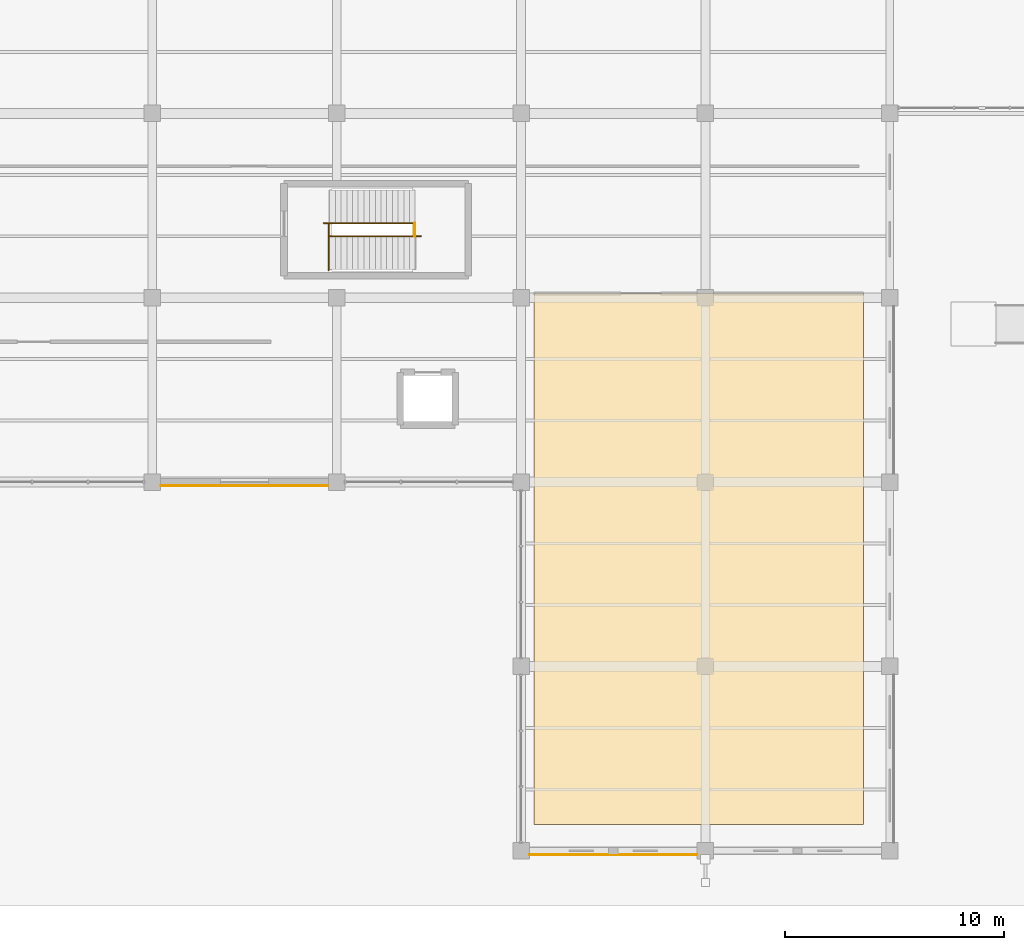
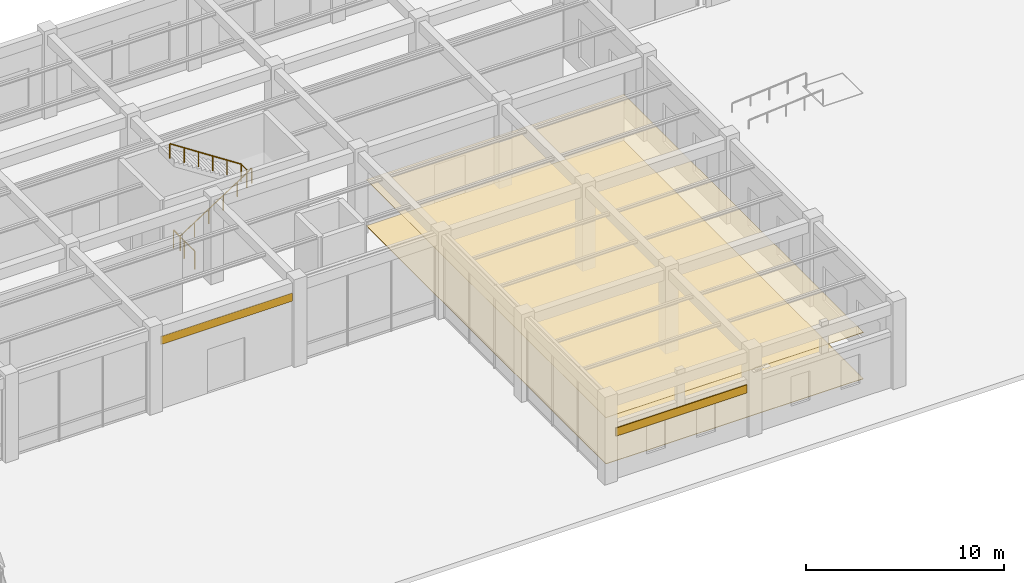
# One storey, part 144 of 157: 4 coverings, 4 railings.
"""IFC4 building model written with IfcOpenShell, lengths in metres."""

from ifc_helpers import new_model, si_unit, direction, frame, origin, origin_2d, place, context, subcontext, project, spatial, polyline, circle, outline, extrude, material, layer, layer_set, type_object, element, save


model = new_model("IFC4")

# Units and contexts
model_context = context("Model", 3, precision=1e-05, world=origin(), true_north=direction((0.0, 1.0)))
body_context = subcontext(model_context, "Body", "Model", "MODEL_VIEW")
ifc_project = project(units=[si_unit("LENGTHUNIT", "METRE"), si_unit("AREAUNIT", "SQUARE_METRE"), si_unit("VOLUMEUNIT", "CUBIC_METRE"), si_unit("PLANEANGLEUNIT", "RADIAN"), si_unit("MASSUNIT", "GRAM", prefix="KILO"), si_unit("THERMODYNAMICTEMPERATUREUNIT", "KELVIN"), si_unit("POWERUNIT", "WATT")], contexts=[model_context])

# Site, building, storey
site_placement = place(None, origin())
site = spatial("IfcSite", under=ifc_project, at=site_placement, CompositionType="ELEMENT")
building_placement = place(site_placement, origin())
building = spatial("IfcBuilding", under=site, at=building_placement, Name="Darbajah Civic Hall", CompositionType="ELEMENT")
storey_placement = place(building_placement, origin())
storey = spatial("IfcBuildingStorey", under=building, at=storey_placement, Name="L00", CompositionType="ELEMENT", Elevation=0.0)

# Railings
ifc_material_1 = material(Name="Brushed Bronze Stainless Steel", Category="steel")
railing_type_1 = type_object("IfcRailingType", Name="Brushed Bronze Handrail", PredefinedType="HANDRAIL", material=ifc_material_1)
railing_1_placement = place(storey_placement, frame((41.679931640625, 28.0, 0.168701171875)))
element("IfcRailing", 1, at=railing_1_placement, inside=storey, type_object=railing_type_1, Name="ST11 L00 lower flight handrail", PredefinedType="HANDRAIL", context=body_context, shape_type="SweptSolid", body=[
    extrude(circle(Radius=0.02392578125, at=origin_2d()), frame((0.02294921875, 0.0, 0.910888671875), z_axis=(0.837094212588, 0.0, 0.547058753016), x_axis=(0.0, 1.0, 0.0)), (0.0, 0.0, 1.0), 4.915283203125),
    extrude(circle(Radius=0.02099609375, at=origin_2d()), origin(), (0.0, 0.0, 1.0), 0.867919921875),
    extrude(circle(Radius=0.02099609375, at=origin_2d()), frame((0.83203125, 0.0, 0.543701171875)), (0.0, 0.0, 1.0), 0.867919921875),
    extrude(circle(Radius=0.02099609375, at=origin_2d()), frame((1.6640625, 0.0, 1.08740234375)), (0.0, 0.0, 1.0), 0.867919921875),
    extrude(circle(Radius=0.02099609375, at=origin_2d()), frame((2.49609375, 0.0, 1.63134765625)), (0.0, 0.0, 1.0), 0.867919921875),
    extrude(circle(Radius=0.02099609375, at=origin_2d()), frame((3.328125, 0.0, 2.175048828125)), (0.0, 0.0, 1.0), 0.867919921875),
    extrude(circle(Radius=0.02099609375, at=origin_2d()), frame((4.16015625, 0.0, 2.71875)), (0.0, 0.0, 1.0), 0.867919921875),
])
railing_2_placement = place(storey_placement, frame((45.580078125, 28.60009765625, 2.86865234375)))
element("IfcRailing", 2, at=railing_2_placement, inside=storey, type_object=railing_type_1, Name="ST11 L00 upper flight handrail", PredefinedType="HANDRAIL", context=body_context, shape_type="SweptSolid", body=[
    extrude(circle(Radius=0.02392578125, at=origin_2d()), frame((-0.02294921875, 0.0, 0.910888671875), z_axis=(-0.837094212588, 0.0, 0.547058753016), x_axis=(0.0, -1.0, 0.0)), (0.0, 0.0, 1.0), 4.915283203125),
    extrude(circle(Radius=0.02099609375, at=origin_2d()), origin(), (0.0, 0.0, 1.0), 0.867919921875),
    extrude(circle(Radius=0.02099609375, at=origin_2d()), frame((-0.83203125, 0.0, 0.543701171875)), (0.0, 0.0, 1.0), 0.867919921875),
    extrude(circle(Radius=0.02099609375, at=origin_2d()), frame((-1.6640625, 0.0, 1.08740234375)), (0.0, 0.0, 1.0), 0.867919921875),
    extrude(circle(Radius=0.02099609375, at=origin_2d()), frame((-2.49609375, 0.0, 1.63134765625)), (0.0, 0.0, 1.0), 0.867919921875),
    extrude(circle(Radius=0.02099609375, at=origin_2d()), frame((-3.328125, 0.0, 2.175048828125)), (0.0, 0.0, 1.0), 0.867919921875),
    extrude(circle(Radius=0.02099609375, at=origin_2d()), frame((-4.16015625, 0.0, 2.71875)), (0.0, 0.0, 1.0), 0.867919921875),
])

# Covering
ifc_material_2 = material(Name="Honed Qatari Limestone Terrazzo", Category="masonry")
ifc_layer_1 = layer(ifc_material_2, 0.030029296875, Name="Honed Qatari Limestone Terrazzo")
ifc_layer_set_1 = layer_set([ifc_layer_1], Name="Honed Qatari Limestone Terrazzo")
covering_type_1 = type_object("IfcCoveringType", Name="Honed Qatari Limestone Terrazzo Flooring", PredefinedType="FLOORING", material=ifc_layer_set_1)
covering_1_placement = place(storey_placement, origin())
element("IfcCovering", 3, at=covering_1_placement, inside=storey, type_object=covering_type_1, Name="L00 stone terrazzo flooring L00-V5-03", PredefinedType="FLOORING", context=body_context, shape_type="SweptSolid", body=[
    extrude(outline(polyline([(51.0, 1.199951171875), (66.0, 1.199951171875), (66.0, 25.39990234375), (51.0, 25.39990234375), (51.0, 1.199951171875)])), origin(), (0.0, 0.0, 1.0), 0.030029296875),
])

# Railings
ifc_material_3 = material(Name="Brushed Bronze and Laminated Safety Glass", Category="glass")
railing_type_2 = type_object("IfcRailingType", Name="Interior Guard Balustrade", PredefinedType="BALUSTRADE", material=ifc_material_3)
railing_3_placement = place(storey_placement, frame((41.6298828125, 26.449951171875, 0.0)))
element("IfcRailing", 4, at=railing_3_placement, inside=storey, type_object=railing_type_2, Name="ST11 L00 stair-well edge guard", PredefinedType="BALUSTRADE", context=body_context, shape_type="SweptSolid", body=[
    extrude(circle(Radius=0.02392578125, at=origin_2d()), frame((0.0, 0.02734375, 1.09619140625), z_axis=(0.0, 1.0, 0.0), x_axis=(-1.0, 0.0, 0.0)), (0.0, 0.0, 1.0), 2.095458984375),
    extrude(circle(Radius=0.02099609375, at=origin_2d()), origin(), (0.0, 0.0, 1.0), 1.068115234375),
    extrude(circle(Radius=0.02099609375, at=origin_2d()), frame((0.0, 1.0751953125, 0.0)), (0.0, 0.0, 1.0), 1.068115234375),
    extrude(circle(Radius=0.02099609375, at=origin_2d()), frame((0.0, 2.150146484375, 0.0)), (0.0, 0.0, 1.0), 1.068115234375),
])
railing_4_placement = place(storey_placement, frame((45.56005859375, 28.0, 2.699951171875)))
element("IfcRailing", 5, at=railing_4_placement, inside=storey, type_object=railing_type_2, Name="ST11 L00 landing well guard", PredefinedType="BALUSTRADE", context=body_context, shape_type="SweptSolid", body=[
    extrude(circle(Radius=0.02392578125, at=origin_2d()), frame((0.0, 0.02734375, 1.09619140625), z_axis=(0.0, 1.0, 0.0), x_axis=(-1.0, 0.0, 0.0)), (0.0, 0.0, 1.0), 0.54541015625),
    extrude(circle(Radius=0.02099609375, at=origin_2d()), origin(), (0.0, 0.0, 1.0), 1.068115234375),
    extrude(circle(Radius=0.02099609375, at=origin_2d()), frame((0.0, 0.60009765625, 0.0)), (0.0, 0.0, 1.0), 1.068115234375),
])

# Coverings
ifc_material_4 = material(Name="Qatari Desert Limestone Ashlar", Category="masonry")
ifc_layer_2 = layer(ifc_material_4, 0.044921875, Name="Qatari Desert Limestone Ashlar")
ifc_layer_set_2 = layer_set([ifc_layer_2], Name="Qatari Desert Limestone Ashlar")
covering_type_2 = type_object("IfcCoveringType", Name="Limestone Facade Cladding", PredefinedType="CLADDING", material=ifc_layer_set_2)
covering_2_placement = place(storey_placement, frame((0.0, 0.0, 3.989990234375)))
element("IfcCovering", 6, at=covering_2_placement, inside=storey, type_object=covering_type_2, Name="L00 stone frieze cladding EW-V5-L00-S2-B2", PredefinedType="CLADDING", context=body_context, shape_type="SweptSolid", body=[
    extrude(outline(polyline([(33.97705078125, 16.64501953125), (41.623046875, 16.64501953125), (41.623046875, 16.60009765625), (33.97705078125, 16.60009765625), (33.97705078125, 16.64501953125)])), origin(), (0.0, 0.0, 1.0), 0.5),
])
covering_3_placement = place(storey_placement, frame((0.0, 0.0, 2.64990234375)))
element("IfcCovering", 7, at=covering_3_placement, inside=storey, type_object=covering_type_2, Name="L00 stone frieze cladding EW-V5-L00-S4-B0", PredefinedType="CLADDING", context=body_context, shape_type="SweptSolid", body=[
    extrude(outline(polyline([(50.777099609375, -0.155029296875), (58.423095703125, -0.155029296875), (58.423095703125, -0.199951171875), (50.777099609375, -0.199951171875), (50.777099609375, -0.155029296875)])), origin(), (0.0, 0.0, 1.0), 0.5),
])
ifc_material_5 = material(Name="Perforated Acoustic Gypsum Board")
ifc_layer_3 = layer(ifc_material_5, 0.02490234375, Name="Perforated Acoustic Gypsum Board")
ifc_layer_set_3 = layer_set([ifc_layer_3], Name="Perforated Acoustic Gypsum Board")
covering_type_3 = type_object("IfcCoveringType", Name="Perforated Acoustic Gypsum Ceiling", PredefinedType="CEILING", material=ifc_layer_set_3)
covering_4_placement = place(storey_placement, frame((0.0, 0.0, 2.85009765625)))
element("IfcCovering", 8, at=covering_4_placement, inside=storey, type_object=covering_type_3, Name="L00 acoustic suspended ceiling L00-V5-03", PredefinedType="CEILING", context=body_context, shape_type="SweptSolid", body=[
    extrude(outline(polyline([(51.0, 1.199951171875), (66.0, 1.199951171875), (66.0, 25.39990234375), (51.0, 25.39990234375), (51.0, 1.199951171875)])), origin(), (0.0, 0.0, 1.0), 0.02490234375),
])

save(model, "model.ifc")
